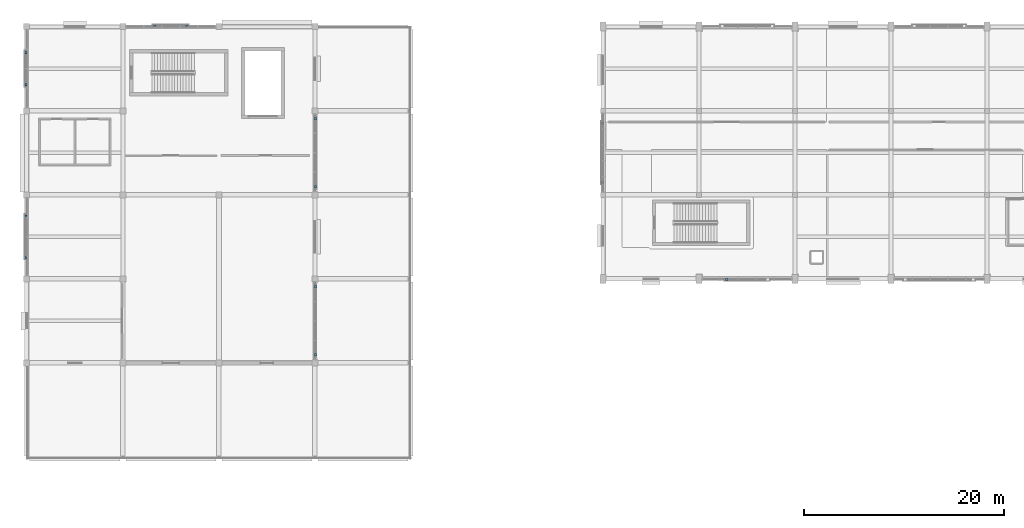
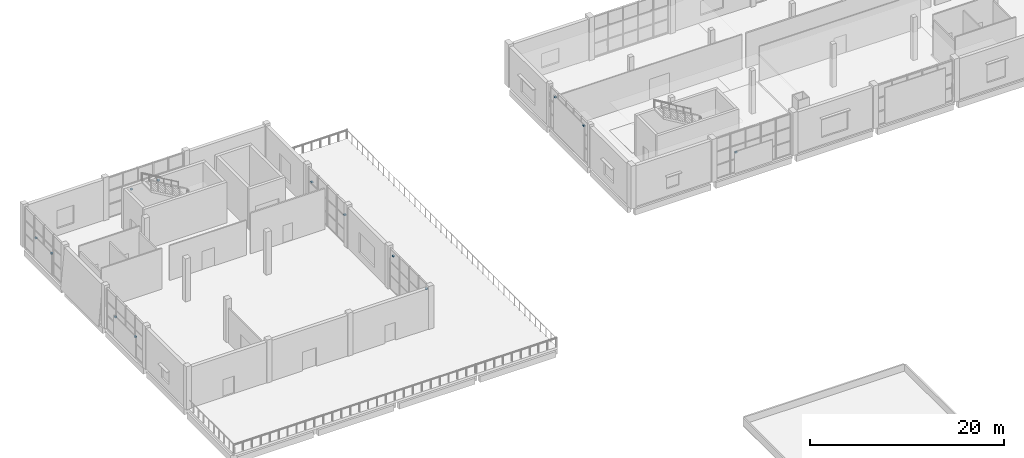
# One storey, part 55 of 72: 13 discrete accessories.
"""IFC4 building model written with IfcOpenShell, lengths in metres."""

from ifc_helpers import new_model, si_unit, direction, frame, origin, origin_2d, place, context, subcontext, project, spatial, rectangle, extrude, material, type_object, element, save


model = new_model("IFC4")

# Units and contexts
model_context = context("Model", 3, precision=1e-05, world=origin(), true_north=direction((0.0, 1.0)))
body_context = subcontext(model_context, "Body", "Model", "MODEL_VIEW")
ifc_project = project(units=[si_unit("LENGTHUNIT", "METRE"), si_unit("AREAUNIT", "SQUARE_METRE"), si_unit("VOLUMEUNIT", "CUBIC_METRE"), si_unit("PLANEANGLEUNIT", "RADIAN"), si_unit("MASSUNIT", "GRAM", prefix="KILO")], contexts=[model_context])

# Site, building, storey
site_placement = place(None, origin())
site = spatial("IfcSite", under=ifc_project, at=site_placement, CompositionType="ELEMENT")
building_placement = place(site_placement, origin())
building = spatial("IfcBuilding", under=site, at=building_placement, Name="Shalvenor Court Art Gallery", CompositionType="ELEMENT")
storey_placement = place(building_placement, frame((0.0, 0.0, 11.39990234375)))
storey = spatial("IfcBuildingStorey", under=building, at=storey_placement, Name="L02", CompositionType="ELEMENT", Elevation=11.39990234375)

# Discrete accessories
ifc_material = material(Name="Stainless steel anchor bracket", Category="steel")
discrete_accessory_type = type_object("IfcDiscreteAccessoryType", Name="BRK-01", PredefinedType="BRACKET", material=ifc_material)
for number, where, z_axis, x_axis, name in (
    (1, (69.949951171875, 97.12353515625, 2.47021484375), (0.0, 0.0, 1.0), (-1.0, 0.0, 0.0), "L02 Lattice Anchor Bracket 130"),
    (2, (57.54345703125, 106.85009765625, 4.27001953125), (0.0, 0.0, 1.0), (0.0, 1.0, 0.0), "L02 Lattice Anchor Bracket 131"),
    (3, (57.54345703125, 112.75, 4.27001953125), (0.0, 0.0, 1.0), (0.0, 1.0, 0.0), "L02 Lattice Anchor Bracket 132"),
    (4, (12.800048828125, 122.471435546875, 2.47021484375), (0.0, 0.0, 1.0), (1.0, 0.0, 0.0), "L02 Lattice Anchor Bracket 299"),
    (5, (16.0, 122.471435546875, 2.47021484375), (0.0, 0.0, 1.0), (1.0, 0.0, 0.0), "L02 Lattice Anchor Bracket 300"),
    (6, (28.87646484375, 113.199951171875, 3.3701171875), (0.0, 0.0, 1.0), (0.0, -1.0, 0.0), "L02 Lattice Anchor Bracket 301"),
    (7, (28.87646484375, 106.39990234375, 3.3701171875), (0.0, 0.0, 1.0), (0.0, -1.0, 0.0), "L02 Lattice Anchor Bracket 302"),
    (8, (28.8564453125, 96.39990234375, 4.27001953125), (0.0, 0.0, 1.0), (0.0, -1.0, 0.0), "L02 Lattice Anchor Bracket 303"),
    (9, (28.8564453125, 89.60009765625, 4.27001953125), (0.0, 0.0, 1.0), (0.0, -1.0, 0.0), "L02 Lattice Anchor Bracket 304"),
    (10, (-0.06640625, 99.35009765625, 2.47021484375), (0.0, 0.0, 1.0), (0.0, 1.0, 0.0), "L02 Lattice Anchor Bracket 305"),
    (11, (-0.06640625, 103.449951171875, 2.47021484375), (0.0, 0.0, 1.0), (0.0, 1.0, 0.0), "L02 Lattice Anchor Bracket 306"),
    (12, (-0.071533203125, 116.60009765625, 2.47021484375), (0.0, 0.0, 1.0), (0.0, 1.0, 0.0), "L02 Lattice Anchor Bracket 307"),
    (13, (-0.071533203125, 119.800048828125, 2.47021484375), (0.0, 0.0, 1.0), (0.0, 1.0, 0.0), "L02 Lattice Anchor Bracket 308"),
):
    element("IfcDiscreteAccessory", number, at=place(storey_placement, frame(where, z_axis=z_axis, x_axis=x_axis)), inside=storey, type_object=discrete_accessory_type, Name=name, PredefinedType="BRACKET", context=body_context, shape_type="SweptSolid", body=[
        extrude(rectangle(XDim=0.239990234375, YDim=0.219970703125, at=origin_2d()), origin(), (0.0, 0.0, 1.0), 0.159912109375),
    ])

save(model, "model.ifc")
